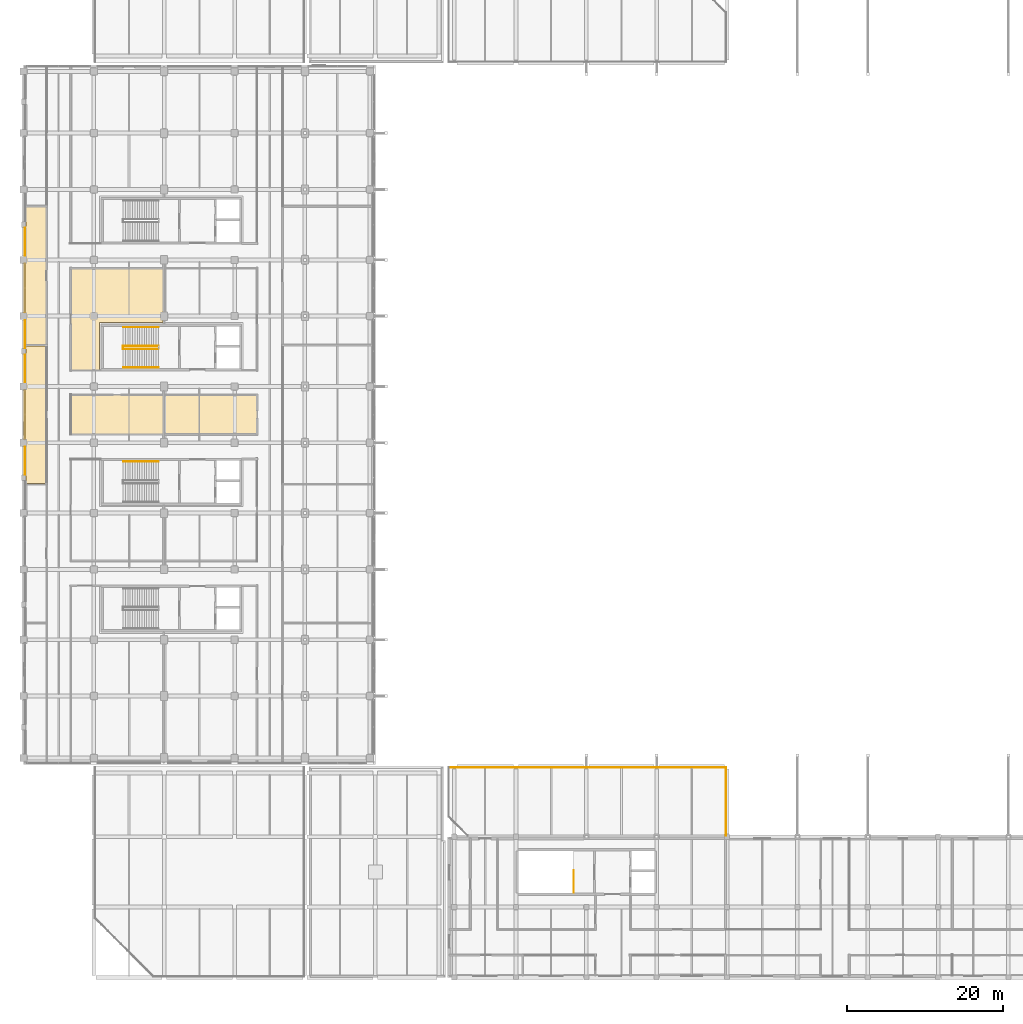
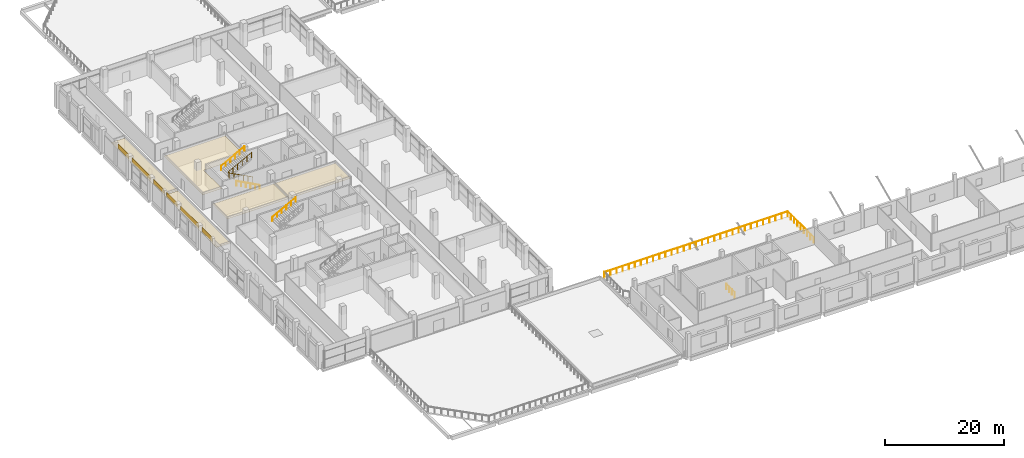
# One storey, part 68 of 82: 11 coverings, 7 railings.
"""IFC4 building model written with IfcOpenShell, lengths in metres."""

import ifcopenshell
import ifcopenshell.guid

model = None  # the IFC model being written
_history = None  # IfcOwnerHistory: only IFC2X3 demands one
_inside = {}  # id of a spatial element -> (the spatial element, [elements in it])
_under = {}  # id of a project, library or spatial element -> (it, [spatial elements below it])
_declared = {}  # id of a project -> (the project, [libraries it declares])
_typed = {}  # id of a type object -> (the type object, [elements of that type])
_made_of = {}  # id of a material, layer set ... -> (it, [elements and type objects made of it])


def new_model(schema):
    """Start an empty IFC model of exactly this schema.

    Asked for "IFC4X3", IfcOpenShell would pick the latest addendum, in which some entities
    have other attributes; the version numbers below select the first issue.
    IFC2X3 requires an IfcOwnerHistory on every rooted entity: one is made here for all.
    """
    global model, _history
    if schema == "IFC4X3":
        model = ifcopenshell.file(schema_version=(4, 3, 0, 0))
    else:
        model = ifcopenshell.file(schema=schema)
    _inside.clear()
    _under.clear()
    _declared.clear()
    _typed.clear()
    _made_of.clear()
    _history = None
    if model.schema == "IFC2X3":
        org = make("IfcOrganization", Name="unknown")
        user = make(
            "IfcPersonAndOrganization",
            ThePerson=make("IfcPerson", FamilyName="unknown"),
            TheOrganization=org,
        )
        app = make(
            "IfcApplication",
            ApplicationDeveloper=org,
            Version="unknown",
            ApplicationFullName="unknown",
            ApplicationIdentifier="unknown",
        )
        _history = make(
            "IfcOwnerHistory",
            OwningUser=user,
            OwningApplication=app,
            ChangeAction="ADDED",
            CreationDate=0,
        )
    return model


def make(cls, **values):
    """One entity of the class cls with the attributes given. An attribute that is None is left unset."""
    return model.create_entity(
        cls, **{name: value for name, value in values.items() if value is not None}
    )


def rooted(cls, **values):
    """An entity with a GlobalId (a new one), such as an element, a storey or a relation."""
    return make(cls, GlobalId=ifcopenshell.guid.new(), OwnerHistory=_history, **values)


def si_unit(unit_type, name, prefix=None):
    """IfcSIUnit, for example si_unit("LENGTHUNIT", "METRE", prefix="MILLI")."""
    return make("IfcSIUnit", UnitType=unit_type, Prefix=prefix, Name=name)


def assignment(units):
    """IfcUnitAssignment: the units of a project."""
    return None if units is None else make("IfcUnitAssignment", Units=units)


def point(xyz):
    """IfcCartesianPoint."""
    return None if xyz is None else make("IfcCartesianPoint", Coordinates=xyz)


def direction(xyz):
    """IfcDirection."""
    return None if xyz is None else make("IfcDirection", DirectionRatios=xyz)


def frame(location, z_axis=None, x_axis=None):
    """IfcAxis2Placement3D, a coordinate frame: its origin and axes. An axis left out is left unset."""
    return make(
        "IfcAxis2Placement3D",
        Location=point(location),
        Axis=direction(z_axis),
        RefDirection=direction(x_axis),
    )


def frame_2d(location, x_axis=None):
    """IfcAxis2Placement2D, a coordinate frame in the plane: its origin and x axis."""
    return make(
        "IfcAxis2Placement2D", Location=point(location), RefDirection=direction(x_axis)
    )


def origin():
    """The frame at (0, 0, 0) with its axes left unset."""
    return frame((0.0, 0.0, 0.0))


def origin_2d():
    """The frame at (0, 0) in the plane with its x axis left unset."""
    return frame_2d((0.0, 0.0))


def place(relative_to, where):
    """IfcLocalPlacement: puts the frame where relative to a parent placement (None: the world)."""
    return make(
        "IfcLocalPlacement", PlacementRelTo=relative_to, RelativePlacement=where
    )


def context(
    kind, dimensions, precision=None, world=None, true_north=None, identifier=None
):
    """IfcGeometricRepresentationContext, for example the 3D "Model" context."""
    return make(
        "IfcGeometricRepresentationContext",
        ContextIdentifier=identifier,
        ContextType=kind,
        CoordinateSpaceDimension=dimensions,
        Precision=precision,
        WorldCoordinateSystem=world,
        TrueNorth=true_north,
    )


def subcontext(parent, identifier, kind, view, scale=None):
    """IfcGeometricRepresentationSubContext, for example "Body" below "Model"."""
    return make(
        "IfcGeometricRepresentationSubContext",
        ContextIdentifier=identifier,
        ContextType=kind,
        ParentContext=parent,
        TargetScale=scale,
        TargetView=view,
    )


def project(units=None, contexts=None):
    """IfcProject with its units and contexts."""
    return rooted(
        "IfcProject",
        Name="project",
        RepresentationContexts=contexts,
        UnitsInContext=assignment(units),
    )


def spatial(cls, under=None, at=None, **own):
    """A site, building, storey or space (cls), placed at a placement, below another one or the project."""
    s = rooted(cls, ObjectPlacement=at, **own)
    if under is not None:
        _under.setdefault(under.id(), (under, []))[1].append(s)
    return s


def polyline(points):
    """IfcPolyline through the points."""
    return make("IfcPolyline", Points=[point(p) for p in points])


def profile(cls, at=None, kind="AREA", **sizes):
    """A parametric profile (cls). Its sizes go by their IFC names, for example OverallWidth=200.0."""
    return make(cls, ProfileType=kind, Position=at, **sizes)


def rectangle(**sizes):
    """IfcRectangleProfileDef."""
    return profile("IfcRectangleProfileDef", **sizes)


def circle(**sizes):
    """IfcCircleProfileDef."""
    return profile("IfcCircleProfileDef", **sizes)


def outline(outer, holes=None, kind="AREA"):
    """IfcArbitraryClosedProfileDef: a profile drawn as a closed curve; with holes, ...WithVoids."""
    if holes is None:
        return make("IfcArbitraryClosedProfileDef", ProfileType=kind, OuterCurve=outer)
    return make(
        "IfcArbitraryProfileDefWithVoids",
        ProfileType=kind,
        OuterCurve=outer,
        InnerCurves=holes,
    )


def extrude(swept, where, along, depth):
    """IfcExtrudedAreaSolid: the profile swept, set in the frame where, extruded along a direction by depth."""
    return make(
        "IfcExtrudedAreaSolid",
        SweptArea=swept,
        Position=where,
        ExtrudedDirection=direction(along),
        Depth=depth,
    )


def shape(context_of_items, identifier, shape_type, items):
    """IfcShapeRepresentation: the items that make up one representation, for example the "Body"."""
    return make(
        "IfcShapeRepresentation",
        ContextOfItems=context_of_items,
        RepresentationIdentifier=identifier,
        RepresentationType=shape_type,
        Items=items,
    )


def material(Name=None, Category=None):
    """IfcMaterial."""
    return make("IfcMaterial", Name=Name, Category=Category)


def layer(
    of_material, thickness, ventilated=None, Name=None, Category=None, Priority=None
):
    """IfcMaterialLayer: one layer of a wall or slab, of a material (None: an air gap)."""
    return make(
        "IfcMaterialLayer",
        Material=of_material,
        LayerThickness=thickness,
        IsVentilated=ventilated,
        Name=Name,
        Category=Category,
        Priority=Priority,
    )


def layer_set(layers, Name=None):
    """IfcMaterialLayerSet."""
    return make("IfcMaterialLayerSet", MaterialLayers=layers, LayerSetName=Name)


def made_of(thing, what):
    """Note that an element or type object is made of a material, layer set ...; save() writes the relation."""
    if what is not None:
        _made_of.setdefault(what.id(), (what, []))[1].append(thing)
    return thing


def type_object(cls, material=None, **own):
    """A type object (cls), such as IfcWallType, which elements share."""
    return made_of(rooted(cls, **own), material)


def element(
    cls,
    number,
    at=None,
    inside=None,
    cuts=None,
    type_object=None,
    material=None,
    context=None,
    identifier="Body",
    shape_type=None,
    held_by="IfcProductDefinitionShape",
    body=None,
    shapes=None,
    **own,
):
    """One element of the class cls, such as IfcWall. Its Tag is "e" and its number.

    at: its placement. inside: the storey or other place that contains it. cuts: it is an
    opening in that element (IfcRelVoidsElement). A single representation is given by context,
    identifier, shape_type and body (its items); several are given by shapes. held_by: the class
    of the entity that holds the representations. save() writes the other relations.
    """
    e = rooted(cls, Tag="e%d" % number, ObjectPlacement=at, **own)
    if body is not None:
        shapes = [shape(context, identifier, shape_type, body)]
    if shapes is not None:
        e.Representation = make(held_by, Representations=shapes)
    if inside is not None:
        _inside.setdefault(inside.id(), (inside, []))[1].append(e)
    if cuts is not None:
        rooted(
            "IfcRelVoidsElement", RelatingBuildingElement=cuts, RelatedOpeningElement=e
        )
    if type_object is not None:
        _typed.setdefault(type_object.id(), (type_object, []))[1].append(e)
    return made_of(e, material)


def aggregate(whole, parts):
    """IfcRelAggregates: a whole, such as a stair, and the parts it consists of."""
    return rooted("IfcRelAggregates", RelatingObject=whole, RelatedObjects=parts)


def save(model, path):
    """Write the relations noted so far, then the file.

    IfcRelAggregates (storeys below a building ...), IfcRelContainedInSpatialStructure (elements
    in a storey), IfcRelDefinesByType, IfcRelAssociatesMaterial and IfcRelDeclares: one each for
    every whole, place, type object, material and project.
    """
    for whole, parts in _under.values():
        aggregate(whole, parts)
    for where, things in _inside.values():
        rooted(
            "IfcRelContainedInSpatialStructure",
            RelatedElements=things,
            RelatingStructure=where,
        )
    for kind, things in _typed.values():
        rooted("IfcRelDefinesByType", RelatedObjects=things, RelatingType=kind)
    for what, things in _made_of.values():
        rooted("IfcRelAssociatesMaterial", RelatedObjects=things, RelatingMaterial=what)
    for by, libraries in _declared.values():
        rooted("IfcRelDeclares", RelatingContext=by, RelatedDefinitions=libraries)
    model.write(path)


model = new_model("IFC4")

# Units and contexts
model_context = context("Model", 3, precision=1e-05, world=origin(), true_north=direction((0.0, 1.0)))
body_context = subcontext(model_context, "Body", "Model", "MODEL_VIEW")
ifc_project = project(units=[si_unit("LENGTHUNIT", "METRE"), si_unit("AREAUNIT", "SQUARE_METRE"), si_unit("VOLUMEUNIT", "CUBIC_METRE"), si_unit("PLANEANGLEUNIT", "RADIAN"), si_unit("MASSUNIT", "GRAM", prefix="KILO"), si_unit("THERMODYNAMICTEMPERATUREUNIT", "KELVIN"), si_unit("POWERUNIT", "WATT")], contexts=[model_context])

# Site, building, storey
site_placement = place(None, origin())
site = spatial("IfcSite", under=ifc_project, at=site_placement, CompositionType="ELEMENT")
building_placement = place(site_placement, origin())
building = spatial("IfcBuilding", under=site, at=building_placement, Name="Sindhuravela Promenade Stadium", CompositionType="ELEMENT")
storey_placement = place(building_placement, frame((0.0, 0.0, 14.39990234375)))
storey = spatial("IfcBuildingStorey", under=building, at=storey_placement, Name="L03", CompositionType="ELEMENT", Elevation=14.39990234375)

# Coverings
ifc_material_1 = material(Name="Acoustic mineral-fibre ceiling tile", Category="gypsum")
ifc_layer_1 = layer(ifc_material_1, 0.02490234375)
ifc_layer_set_1 = layer_set([ifc_layer_1], Name="Acoustic mineral-fibre ceiling tile")
covering_type_1 = type_object("IfcCoveringType", Name="CV-CEIL-1", PredefinedType="CEILING", material=ifc_layer_set_1)
covering_1_placement = place(storey_placement, frame((0.0, 0.0, 3.050048828125)))
element("IfcCovering", 1, at=covering_1_placement, inside=storey, type_object=covering_type_1, Name="Acoustic ceiling Grand Banquet Hall West 2", PredefinedType="CEILING", context=body_context, shape_type="SweptSolid", body=[
    extrude(outline(polyline([(6.0400390625, 86.669921875), (6.0380859375, 86.670166015625), (6.0361328125, 86.67041015625), (6.0341796875, 86.6708984375), (6.0322265625, 86.67138671875), (6.030517578125, 86.67236328125), (6.02880859375, 86.67333984375), (6.02734375, 86.674560546875), (6.02587890625, 86.67578125), (6.0244140625, 86.67724609375), (6.0234375, 86.678955078125), (6.0224609375, 86.6806640625), (6.021484375, 86.682373046875), (6.02099609375, 86.68408203125), (6.0205078125, 86.68603515625), (6.02001953125, 86.68798828125), (6.02001953125, 86.68994140625), (6.02001953125, 99.7099609375), (6.02001953125, 99.7119140625), (6.0205078125, 99.7138671875), (6.02099609375, 99.7158203125), (6.021484375, 99.7177734375), (6.0224609375, 99.719482421875), (6.0234375, 99.72119140625), (6.0244140625, 99.72265625), (6.02587890625, 99.72412109375), (6.02734375, 99.7255859375), (6.02880859375, 99.7265625), (6.030517578125, 99.7275390625), (6.0322265625, 99.728515625), (6.0341796875, 99.72900390625), (6.0361328125, 99.7294921875), (6.0380859375, 99.72998046875), (6.0400390625, 99.72998046875), (17.830078125, 99.72998046875), (17.83203125, 99.72998046875), (17.833984375, 99.7294921875), (17.835693359375, 99.72900390625), (17.837646484375, 99.728515625), (17.83935546875, 99.7275390625), (17.841064453125, 99.7265625), (17.8427734375, 99.7255859375), (17.843994140625, 99.72412109375), (17.845458984375, 99.72265625), (17.8466796875, 99.72119140625), (17.84765625, 99.719482421875), (17.848388671875, 99.7177734375), (17.84912109375, 99.7158203125), (17.849609375, 99.7138671875), (17.849853515625, 99.7119140625), (17.85009765625, 99.7099609375), (17.85009765625, 92.800048828125), (17.849853515625, 92.798095703125), (17.849609375, 92.796142578125), (17.84912109375, 92.794189453125), (17.848388671875, 92.792236328125), (17.84765625, 92.79052734375), (17.8466796875, 92.788818359375), (17.845458984375, 92.787353515625), (17.843994140625, 92.785888671875), (17.8427734375, 92.784423828125), (17.841064453125, 92.783447265625), (17.83935546875, 92.782470703125), (17.837646484375, 92.781494140625), (17.835693359375, 92.781005859375), (17.833984375, 92.780517578125), (17.83203125, 92.780029296875), (17.830078125, 92.780029296875), (9.719970703125, 92.780029296875), (9.719970703125, 86.68994140625), (9.719970703125, 86.68798828125), (9.719482421875, 86.68603515625), (9.718994140625, 86.68408203125), (9.718505859375, 86.682373046875), (9.717529296875, 86.6806640625), (9.716552734375, 86.678955078125), (9.715576171875, 86.67724609375), (9.714111328125, 86.67578125), (9.712646484375, 86.674560546875), (9.711181640625, 86.67333984375), (9.70947265625, 86.67236328125), (9.707763671875, 86.67138671875), (9.705810546875, 86.6708984375), (9.703857421875, 86.67041015625), (9.701904296875, 86.670166015625), (9.699951171875, 86.669921875), (6.0400390625, 86.669921875)])), origin(), (0.0, 0.0, 1.0), 0.025146484375),
])
covering_2_placement = place(storey_placement, frame((0.0, 0.0, 3.050048828125)))
element("IfcCovering", 2, at=covering_2_placement, inside=storey, type_object=covering_type_1, Name="Acoustic ceiling Executive Hospitality Suite W04 6", PredefinedType="CEILING", context=body_context, shape_type="SweptSolid", body=[
    extrude(outline(polyline([(6.02001953125, 83.510009765625), (6.02001953125, 83.511962890625), (6.0205078125, 83.513916015625), (6.02099609375, 83.515869140625), (6.021484375, 83.517578125), (6.0224609375, 83.519287109375), (6.0234375, 83.52099609375), (6.0244140625, 83.522705078125), (6.02587890625, 83.524169921875), (6.02734375, 83.525390625), (6.02880859375, 83.526611328125), (6.030517578125, 83.527587890625), (6.0322265625, 83.528564453125), (6.0341796875, 83.529052734375), (6.0361328125, 83.529541015625), (6.0380859375, 83.52978515625), (6.0400390625, 83.530029296875), (17.830078125, 83.530029296875), (17.83203125, 83.52978515625), (17.833984375, 83.529541015625), (17.835693359375, 83.529052734375), (17.837646484375, 83.528564453125), (17.83935546875, 83.527587890625), (17.841064453125, 83.526611328125), (17.8427734375, 83.525390625), (17.843994140625, 83.524169921875), (17.845458984375, 83.522705078125), (17.8466796875, 83.52099609375), (17.84765625, 83.519287109375), (17.848388671875, 83.517578125), (17.84912109375, 83.515869140625), (17.849609375, 83.513916015625), (17.849853515625, 83.511962890625), (17.85009765625, 83.510009765625), (17.85009765625, 78.489990234375), (17.849853515625, 78.488037109375), (17.849609375, 78.486083984375), (17.84912109375, 78.484130859375), (17.848388671875, 78.482421875), (17.84765625, 78.480712890625), (17.8466796875, 78.47900390625), (17.845458984375, 78.477294921875), (17.843994140625, 78.475830078125), (17.8427734375, 78.474609375), (17.841064453125, 78.473388671875), (17.83935546875, 78.472412109375), (17.837646484375, 78.471435546875), (17.835693359375, 78.470947265625), (17.833984375, 78.470458984375), (17.83203125, 78.47021484375), (17.830078125, 78.469970703125), (6.0400390625, 78.469970703125), (6.0380859375, 78.47021484375), (6.0361328125, 78.470458984375), (6.0341796875, 78.470947265625), (6.0322265625, 78.471435546875), (6.030517578125, 78.472412109375), (6.02880859375, 78.473388671875), (6.02734375, 78.474609375), (6.02587890625, 78.475830078125), (6.0244140625, 78.477294921875), (6.0234375, 78.47900390625), (6.0224609375, 78.480712890625), (6.021484375, 78.482421875), (6.02099609375, 78.484130859375), (6.0205078125, 78.486083984375), (6.02001953125, 78.488037109375), (6.02001953125, 78.489990234375), (6.02001953125, 83.510009765625)])), origin(), (0.0, 0.0, 1.0), 0.025146484375),
])
covering_3_placement = place(storey_placement, frame((0.0, 0.0, 3.050048828125)))
element("IfcCovering", 3, at=covering_3_placement, inside=storey, type_object=covering_type_1, Name="Acoustic ceiling Grand Banquet Hall West 10", PredefinedType="CEILING", context=body_context, shape_type="SweptSolid", body=[
    extrude(outline(polyline([(2.97998046875, 90.006103515625), (2.97998046875, 90.00390625), (2.9794921875, 90.002197265625), (2.97900390625, 90.000244140625), (2.978515625, 89.998291015625), (2.9775390625, 89.99658203125), (2.9765625, 89.994873046875), (2.9755859375, 89.993408203125), (2.97412109375, 89.991943359375), (2.97265625, 89.990478515625), (2.97119140625, 89.989501953125), (2.969482421875, 89.98828125), (2.9677734375, 89.987548828125), (2.9658203125, 89.98681640625), (2.9638671875, 89.986328125), (2.9619140625, 89.986083984375), (2.9599609375, 89.986083984375), (0.320068359375, 89.986083984375), (0.318115234375, 89.986083984375), (0.316162109375, 89.986328125), (0.314208984375, 89.98681640625), (0.312255859375, 89.987548828125), (0.310546875, 89.98828125), (0.308837890625, 89.989501953125), (0.307373046875, 89.990478515625), (0.305908203125, 89.991943359375), (0.304443359375, 89.993408203125), (0.303466796875, 89.994873046875), (0.302490234375, 89.99658203125), (0.301513671875, 89.998291015625), (0.30078125, 90.000244140625), (0.30029296875, 90.002197265625), (0.300048828125, 90.00390625), (0.300048828125, 90.006103515625), (0.300048828125, 107.5380859375), (0.300048828125, 107.5400390625), (0.30029296875, 107.5419921875), (0.30078125, 107.543701171875), (0.301513671875, 107.545654296875), (0.302490234375, 107.54736328125), (0.303466796875, 107.549072265625), (0.304443359375, 107.55078125), (0.305908203125, 107.552001953125), (0.307373046875, 107.553466796875), (0.308837890625, 107.5546875), (0.310546875, 107.5556640625), (0.312255859375, 107.556396484375), (0.314208984375, 107.55712890625), (0.316162109375, 107.5576171875), (0.318115234375, 107.557861328125), (0.320068359375, 107.55810546875), (2.9599609375, 107.55810546875), (2.9619140625, 107.557861328125), (2.9638671875, 107.5576171875), (2.9658203125, 107.55712890625), (2.9677734375, 107.556396484375), (2.969482421875, 107.5556640625), (2.97119140625, 107.5546875), (2.97265625, 107.553466796875), (2.97412109375, 107.552001953125), (2.9755859375, 107.55078125), (2.9765625, 107.549072265625), (2.9775390625, 107.54736328125), (2.978515625, 107.545654296875), (2.97900390625, 107.543701171875), (2.9794921875, 107.5419921875), (2.97998046875, 107.5400390625), (2.97998046875, 107.5380859375), (2.97998046875, 90.006103515625)])), origin(), (0.0, 0.0, 1.0), 0.025146484375),
])
covering_4_placement = place(storey_placement, frame((0.0, 0.0, 3.050048828125)))
element("IfcCovering", 4, at=covering_4_placement, inside=storey, type_object=covering_type_1, Name="Acoustic ceiling Executive Hospitality Suite W02 12", PredefinedType="CEILING", context=body_context, shape_type="SweptSolid", body=[
    extrude(outline(polyline([(2.97998046875, 72.23388671875), (2.97998046875, 72.23193359375), (2.9794921875, 72.22998046875), (2.97900390625, 72.228271484375), (2.978515625, 72.226318359375), (2.9775390625, 72.224609375), (2.9765625, 72.222900390625), (2.9755859375, 72.22119140625), (2.97412109375, 72.219970703125), (2.97265625, 72.218505859375), (2.97119140625, 72.21728515625), (2.969482421875, 72.21630859375), (2.9677734375, 72.215576171875), (2.9658203125, 72.21484375), (2.9638671875, 72.21435546875), (2.9619140625, 72.214111328125), (2.9599609375, 72.214111328125), (0.320068359375, 72.214111328125), (0.318115234375, 72.214111328125), (0.316162109375, 72.21435546875), (0.314208984375, 72.21484375), (0.312255859375, 72.215576171875), (0.310546875, 72.21630859375), (0.308837890625, 72.21728515625), (0.307373046875, 72.218505859375), (0.305908203125, 72.219970703125), (0.304443359375, 72.22119140625), (0.303466796875, 72.222900390625), (0.302490234375, 72.224609375), (0.301513671875, 72.226318359375), (0.30078125, 72.228271484375), (0.30029296875, 72.22998046875), (0.300048828125, 72.23193359375), (0.300048828125, 72.23388671875), (0.300048828125, 89.76611328125), (0.300048828125, 89.76806640625), (0.30029296875, 89.77001953125), (0.30078125, 89.771728515625), (0.301513671875, 89.773681640625), (0.302490234375, 89.775390625), (0.303466796875, 89.777099609375), (0.304443359375, 89.77880859375), (0.305908203125, 89.780029296875), (0.307373046875, 89.781494140625), (0.308837890625, 89.78271484375), (0.310546875, 89.78369140625), (0.312255859375, 89.784423828125), (0.314208984375, 89.78515625), (0.316162109375, 89.78564453125), (0.318115234375, 89.785888671875), (0.320068359375, 89.785888671875), (2.9599609375, 89.785888671875), (2.9619140625, 89.785888671875), (2.9638671875, 89.78564453125), (2.9658203125, 89.78515625), (2.9677734375, 89.784423828125), (2.969482421875, 89.78369140625), (2.97119140625, 89.78271484375), (2.97265625, 89.781494140625), (2.97412109375, 89.780029296875), (2.9755859375, 89.77880859375), (2.9765625, 89.777099609375), (2.9775390625, 89.775390625), (2.978515625, 89.773681640625), (2.97900390625, 89.771728515625), (2.9794921875, 89.77001953125), (2.97998046875, 89.76806640625), (2.97998046875, 89.76611328125), (2.97998046875, 72.23388671875)])), origin(), (0.0, 0.0, 1.0), 0.025146484375),
])
ifc_layer_2 = layer(ifc_material_1, 0.044921875)
ifc_layer_set_2 = layer_set([ifc_layer_2], Name="Acoustic mineral-fibre ceiling tile")
covering_type_2 = type_object("IfcCoveringType", Name="CV-CEIL-2", PredefinedType="CEILING", material=ifc_layer_set_2)
covering_5_placement = place(storey_placement, frame((0.0, 0.0, 3.050048828125)))
element("IfcCovering", 5, at=covering_5_placement, inside=storey, type_object=covering_type_2, Name="Acoustic ceiling Banquet Production Kitchen 7", PredefinedType="CEILING", context=body_context, shape_type="SweptSolid", body=[
    extrude(outline(polyline([(29.860107421875, 83.530029296875), (29.862060546875, 83.52978515625), (29.864013671875, 83.529541015625), (29.86572265625, 83.529052734375), (29.86767578125, 83.528564453125), (29.869384765625, 83.527587890625), (29.87109375, 83.526611328125), (29.872802734375, 83.525390625), (29.8740234375, 83.524169921875), (29.87548828125, 83.522705078125), (29.876708984375, 83.52099609375), (29.877685546875, 83.519287109375), (29.87841796875, 83.517578125), (29.879150390625, 83.515869140625), (29.879638671875, 83.513916015625), (29.8798828125, 83.511962890625), (29.8798828125, 83.510009765625), (29.8798828125, 78.489990234375), (29.8798828125, 78.488037109375), (29.879638671875, 78.486083984375), (29.879150390625, 78.484130859375), (29.87841796875, 78.482421875), (29.877685546875, 78.480712890625), (29.876708984375, 78.47900390625), (29.87548828125, 78.477294921875), (29.8740234375, 78.475830078125), (29.872802734375, 78.474609375), (29.87109375, 78.473388671875), (29.869384765625, 78.472412109375), (29.86767578125, 78.471435546875), (29.86572265625, 78.470947265625), (29.864013671875, 78.470458984375), (29.862060546875, 78.47021484375), (29.860107421875, 78.469970703125), (18.070068359375, 78.469970703125), (18.068115234375, 78.47021484375), (18.066162109375, 78.470458984375), (18.064208984375, 78.470947265625), (18.062255859375, 78.471435546875), (18.060546875, 78.472412109375), (18.058837890625, 78.473388671875), (18.057373046875, 78.474609375), (18.055908203125, 78.475830078125), (18.054443359375, 78.477294921875), (18.053466796875, 78.47900390625), (18.052490234375, 78.480712890625), (18.051513671875, 78.482421875), (18.05078125, 78.484130859375), (18.05029296875, 78.486083984375), (18.050048828125, 78.488037109375), (18.050048828125, 78.489990234375), (18.050048828125, 83.510009765625), (18.050048828125, 83.511962890625), (18.05029296875, 83.513916015625), (18.05078125, 83.515869140625), (18.051513671875, 83.517578125), (18.052490234375, 83.519287109375), (18.053466796875, 83.52099609375), (18.054443359375, 83.522705078125), (18.055908203125, 83.524169921875), (18.057373046875, 83.525390625), (18.058837890625, 83.526611328125), (18.060546875, 83.527587890625), (18.062255859375, 83.528564453125), (18.064208984375, 83.529052734375), (18.066162109375, 83.529541015625), (18.068115234375, 83.52978515625), (18.070068359375, 83.530029296875), (29.860107421875, 83.530029296875)])), origin(), (0.0, 0.0, 1.0), 0.045166015625),
])
ifc_material_2 = material(Name="Polychrome trencadis ceramic mosaic", Category="masonry")
ifc_layer_3 = layer(ifc_material_2, 0.034912109375)
ifc_layer_set_3 = layer_set([ifc_layer_3], Name="Polychrome trencadis ceramic mosaic")
covering_type_3 = type_object("IfcCoveringType", Name="CV-TRENC-1", PredefinedType="CLADDING", material=ifc_layer_set_3)
for number, where, z_axis, x_axis, name in (
    (6, (0.179931640625, 75.10009765625, 3.55517578125), (0.0, 0.0, 1.0), (0.0, 1.0, 0.0), "Trencadis ceramic mosaic spandrel frieze WEST L03-70"),
    (7, (0.179931640625, 86.89990234375, 3.55517578125), (0.0, 0.0, 1.0), (0.0, 1.0, 0.0), "Trencadis ceramic mosaic spandrel frieze WEST L03-72"),
):
    element("IfcCovering", number, at=place(storey_placement, frame(where, z_axis=z_axis, x_axis=x_axis)), inside=storey, type_object=covering_type_3, Name=name, PredefinedType="CLADDING", context=body_context, shape_type="SweptSolid", body=[
        extrude(rectangle(XDim=3.570068359375, YDim=0.034912109375, at=origin_2d()), origin(), (0.0, 0.0, 1.0), 0.905029296875),
    ])
covering_6_placement = place(storey_placement, frame((0.179931640625, 97.199951171875, 3.55517578125), z_axis=(0.0, 0.0, 1.0), x_axis=(0.0, 1.0, 0.0)))
element("IfcCovering", 8, at=covering_6_placement, inside=storey, type_object=covering_type_3, Name="Trencadis ceramic mosaic spandrel frieze WEST L03-74", PredefinedType="CLADDING", context=body_context, shape_type="SweptSolid", body=[
    extrude(rectangle(XDim=6.169921875, YDim=0.034912109375, at=origin_2d()), origin(), (0.0, 0.0, 1.0), 0.905029296875),
])
ifc_layer_4 = layer(ifc_material_2, 0.050048828125)
ifc_layer_set_4 = layer_set([ifc_layer_4], Name="Polychrome trencadis ceramic mosaic")
covering_type_4 = type_object("IfcCoveringType", Name="CV-TRENC-2", PredefinedType="CLADDING", material=ifc_layer_set_4)
covering_7_placement = place(storey_placement, frame((0.179931640625, 81.0, 3.55517578125), z_axis=(0.0, 0.0, 1.0), x_axis=(0.0, 1.0, 0.0)))
element("IfcCovering", 9, at=covering_7_placement, inside=storey, type_object=covering_type_4, Name="Trencadis ceramic mosaic spandrel frieze WEST L03-71", PredefinedType="CLADDING", context=body_context, shape_type="SweptSolid", body=[
    extrude(rectangle(XDim=6.169921875, YDim=0.050048828125, at=origin_2d()), origin(), (0.0, 0.0, 1.0), 0.905029296875),
])
for number, where, z_axis, x_axis, name in (
    (10, (0.179931640625, 91.300048828125, 3.55517578125), (0.0, 0.0, 1.0), (0.0, 1.0, 0.0), "Trencadis ceramic mosaic spandrel frieze WEST L03-73"),
    (11, (0.179931640625, 103.10009765625, 3.55517578125), (0.0, 0.0, 1.0), (0.0, 1.0, 0.0), "Trencadis ceramic mosaic spandrel frieze WEST L03-75"),
):
    element("IfcCovering", number, at=place(storey_placement, frame(where, z_axis=z_axis, x_axis=x_axis)), inside=storey, type_object=covering_type_4, Name=name, PredefinedType="CLADDING", context=body_context, shape_type="SweptSolid", body=[
        extrude(rectangle(XDim=3.570068359375, YDim=0.050048828125, at=origin_2d()), origin(), (0.0, 0.0, 1.0), 0.905029296875),
    ])

# Railings
ifc_material_3 = material(Name="Architectural wrought steel E350", Category="steel")
railing_type_1 = type_object("IfcRailingType", Name="RL-BAL-1150", PredefinedType="BALUSTRADE", material=ifc_material_3)
railing_1_placement = place(storey_placement, frame((54.389892578125, 35.860107421875, 0.0)))
element("IfcRailing", 12, at=railing_1_placement, inside=storey, type_object=railing_type_1, Name="Terrace wrought balustrade BL01-47", PredefinedType="BALUSTRADE", context=body_context, shape_type="SweptSolid", body=[
    extrude(circle(Radius=0.02392578125, at=origin_2d()), frame((0.0, 0.0, 1.1259765625), z_axis=(1.0, 0.0, 0.0), x_axis=(0.0, 1.0, 0.0)), (0.0, 0.0, 1.0), 35.47021484375),
    extrude(circle(Radius=0.02099609375, at=origin_2d()), origin(), (0.0, 0.0, 1.0), 1.101806640625),
    extrude(circle(Radius=0.02099609375, at=origin_2d()), frame((1.182373046875, 0.0, 0.0)), (0.0, 0.0, 1.0), 1.101806640625),
    extrude(circle(Radius=0.02099609375, at=origin_2d()), frame((2.36474609375, 0.0, 0.0)), (0.0, 0.0, 1.0), 1.101806640625),
    extrude(circle(Radius=0.02099609375, at=origin_2d()), frame((3.547119140625, 0.0, 0.0)), (0.0, 0.0, 1.0), 1.101806640625),
    extrude(circle(Radius=0.02099609375, at=origin_2d()), frame((4.729248046875, 0.0, 0.0)), (0.0, 0.0, 1.0), 1.101806640625),
    extrude(circle(Radius=0.02099609375, at=origin_2d()), frame((5.91162109375, 0.0, 0.0)), (0.0, 0.0, 1.0), 1.101806640625),
    extrude(circle(Radius=0.02099609375, at=origin_2d()), frame((7.093994140625, 0.0, 0.0)), (0.0, 0.0, 1.0), 1.101806640625),
    extrude(circle(Radius=0.02099609375, at=origin_2d()), frame((8.2763671875, 0.0, 0.0)), (0.0, 0.0, 1.0), 1.101806640625),
    extrude(circle(Radius=0.02099609375, at=origin_2d()), frame((9.458740234375, 0.0, 0.0)), (0.0, 0.0, 1.0), 1.101806640625),
    extrude(circle(Radius=0.02099609375, at=origin_2d()), frame((10.64111328125, 0.0, 0.0)), (0.0, 0.0, 1.0), 1.101806640625),
    extrude(circle(Radius=0.02099609375, at=origin_2d()), frame((11.823486328125, 0.0, 0.0)), (0.0, 0.0, 1.0), 1.101806640625),
    extrude(circle(Radius=0.02099609375, at=origin_2d()), frame((13.005859375, 0.0, 0.0)), (0.0, 0.0, 1.0), 1.101806640625),
    extrude(circle(Radius=0.02099609375, at=origin_2d()), frame((14.18798828125, 0.0, 0.0)), (0.0, 0.0, 1.0), 1.101806640625),
    extrude(circle(Radius=0.02099609375, at=origin_2d()), frame((15.370361328125, 0.0, 0.0)), (0.0, 0.0, 1.0), 1.101806640625),
    extrude(circle(Radius=0.02099609375, at=origin_2d()), frame((16.552734375, 0.0, 0.0)), (0.0, 0.0, 1.0), 1.101806640625),
    extrude(circle(Radius=0.02099609375, at=origin_2d()), frame((17.735107421875, 0.0, 0.0)), (0.0, 0.0, 1.0), 1.101806640625),
    extrude(circle(Radius=0.02099609375, at=origin_2d()), frame((18.91748046875, 0.0, 0.0)), (0.0, 0.0, 1.0), 1.101806640625),
    extrude(circle(Radius=0.02099609375, at=origin_2d()), frame((20.099853515625, 0.0, 0.0)), (0.0, 0.0, 1.0), 1.101806640625),
    extrude(circle(Radius=0.02099609375, at=origin_2d()), frame((21.2822265625, 0.0, 0.0)), (0.0, 0.0, 1.0), 1.101806640625),
    extrude(circle(Radius=0.02099609375, at=origin_2d()), frame((22.46435546875, 0.0, 0.0)), (0.0, 0.0, 1.0), 1.101806640625),
    extrude(circle(Radius=0.02099609375, at=origin_2d()), frame((23.646728515625, 0.0, 0.0)), (0.0, 0.0, 1.0), 1.101806640625),
    extrude(circle(Radius=0.02099609375, at=origin_2d()), frame((24.8291015625, 0.0, 0.0)), (0.0, 0.0, 1.0), 1.101806640625),
    extrude(circle(Radius=0.02099609375, at=origin_2d()), frame((26.011474609375, 0.0, 0.0)), (0.0, 0.0, 1.0), 1.101806640625),
    extrude(circle(Radius=0.02099609375, at=origin_2d()), frame((27.19384765625, 0.0, 0.0)), (0.0, 0.0, 1.0), 1.101806640625),
    extrude(circle(Radius=0.02099609375, at=origin_2d()), frame((28.376220703125, 0.0, 0.0)), (0.0, 0.0, 1.0), 1.101806640625),
    extrude(circle(Radius=0.02099609375, at=origin_2d()), frame((29.55859375, 0.0, 0.0)), (0.0, 0.0, 1.0), 1.101806640625),
    extrude(circle(Radius=0.02099609375, at=origin_2d()), frame((30.740966796875, 0.0, 0.0)), (0.0, 0.0, 1.0), 1.101806640625),
    extrude(circle(Radius=0.02099609375, at=origin_2d()), frame((31.923095703125, 0.0, 0.0)), (0.0, 0.0, 1.0), 1.101806640625),
    extrude(circle(Radius=0.02099609375, at=origin_2d()), frame((33.10546875, 0.0, 0.0)), (0.0, 0.0, 1.0), 1.101806640625),
    extrude(circle(Radius=0.02099609375, at=origin_2d()), frame((34.287841796875, 0.0, 0.0)), (0.0, 0.0, 1.0), 1.101806640625),
    extrude(circle(Radius=0.02099609375, at=origin_2d()), frame((35.47021484375, 0.0, 0.0)), (0.0, 0.0, 1.0), 1.101806640625),
])
railing_2_placement = place(storey_placement, frame((89.860107421875, 35.860107421875, 0.0)))
element("IfcRailing", 13, at=railing_2_placement, inside=storey, type_object=railing_type_1, Name="Terrace wrought balustrade BL01-48", PredefinedType="BALUSTRADE", context=body_context, shape_type="SweptSolid", body=[
    extrude(circle(Radius=0.02392578125, at=origin_2d()), frame((0.0, 0.0, 1.1259765625), z_axis=(0.0, -1.0, 0.0), x_axis=(1.0, 0.0, 0.0)), (0.0, 0.0, 1.0), 8.72021484375),
    extrude(circle(Radius=0.02099609375, at=origin_2d()), origin(), (0.0, 0.0, 1.0), 1.101806640625),
    extrude(circle(Radius=0.02099609375, at=origin_2d()), frame((0.0, -1.090087890625, 0.0)), (0.0, 0.0, 1.0), 1.101806640625),
    extrude(circle(Radius=0.02099609375, at=origin_2d()), frame((0.0, -2.18017578125, 0.0)), (0.0, 0.0, 1.0), 1.101806640625),
    extrude(circle(Radius=0.02099609375, at=origin_2d()), frame((0.0, -3.27001953125, 0.0)), (0.0, 0.0, 1.0), 1.101806640625),
    extrude(circle(Radius=0.02099609375, at=origin_2d()), frame((0.0, -4.360107421875, 0.0)), (0.0, 0.0, 1.0), 1.101806640625),
    extrude(circle(Radius=0.02099609375, at=origin_2d()), frame((0.0, -5.4501953125, 0.0)), (0.0, 0.0, 1.0), 1.101806640625),
    extrude(circle(Radius=0.02099609375, at=origin_2d()), frame((0.0, -6.5400390625, 0.0)), (0.0, 0.0, 1.0), 1.101806640625),
    extrude(circle(Radius=0.02099609375, at=origin_2d()), frame((0.0, -7.630126953125, 0.0)), (0.0, 0.0, 1.0), 1.101806640625),
    extrude(circle(Radius=0.02099609375, at=origin_2d()), frame((0.0, -8.72021484375, 0.0)), (0.0, 0.0, 1.0), 1.101806640625),
])
railing_type_2 = type_object("IfcRailingType", Name="RL-GRD-1150", PredefinedType="GUARDRAIL", material=ifc_material_3)
railing_3_placement = place(storey_placement, frame((17.25, 89.409912109375, 0.0)))
element("IfcRailing", 14, at=railing_3_placement, inside=storey, type_object=railing_type_2, Name="Stair ST03 inner well guard (L03)", PredefinedType="GUARDRAIL", context=body_context, shape_type="SweptSolid", body=[
    extrude(circle(Radius=0.02392578125, at=origin_2d()), frame((0.0, 0.0, 1.1259765625), z_axis=(-0.8836349624059475, 0.0, 0.46817651928929505), x_axis=(0.0, -1.0, 0.0)), (0.0, 0.0, 1.0), 5.12646484375),
    extrude(circle(Radius=0.02392578125, at=origin_2d()), frame((-4.530029296875, 0.0, 3.52587890625), z_axis=(0.0, 1.0, 0.0), x_axis=(-1.0, 0.0, 0.0)), (0.0, 0.0, 1.0), 0.380126953125),
    extrude(circle(Radius=0.02392578125, at=origin_2d()), frame((-4.530029296875, 0.380126953125, 3.52587890625), z_axis=(0.8836546633431795, 0.0, 0.46813933390802775), x_axis=(0.0, 1.0, 0.0)), (0.0, 0.0, 1.0), 5.12646484375),
    extrude(circle(Radius=0.02099609375, at=origin_2d()), origin(), (0.0, 0.0, 1.0), 1.101806640625),
    extrude(circle(Radius=0.02099609375, at=origin_2d()), frame((-0.906005859375, 0.0, 0.47998046875)), (0.0, 0.0, 1.0), 1.101806640625),
    extrude(circle(Radius=0.02099609375, at=origin_2d()), frame((-1.81201171875, 0.0, 0.9599609375)), (0.0, 0.0, 1.0), 1.101806640625),
    extrude(circle(Radius=0.02099609375, at=origin_2d()), frame((-2.718017578125, 0.0, 1.440185546875)), (0.0, 0.0, 1.0), 1.101806640625),
    extrude(circle(Radius=0.02099609375, at=origin_2d()), frame((-3.6240234375, 0.0, 1.920166015625)), (0.0, 0.0, 1.0), 1.101806640625),
    extrude(circle(Radius=0.02099609375, at=origin_2d()), frame((-4.530029296875, 0.0, 2.400146484375)), (0.0, 0.0, 1.0), 1.101806640625),
    extrude(circle(Radius=0.02099609375, at=origin_2d()), frame((-4.530029296875, 0.380126953125, 2.400146484375)), (0.0, 0.0, 1.0), 1.101806640625),
    extrude(circle(Radius=0.02099609375, at=origin_2d()), frame((-3.6240234375, 0.380126953125, 2.880126953125)), (0.0, 0.0, 1.0), 1.101806640625),
    extrude(circle(Radius=0.02099609375, at=origin_2d()), frame((-2.718017578125, 0.380126953125, 3.360107421875)), (0.0, 0.0, 1.0), 1.101806640625),
    extrude(circle(Radius=0.02099609375, at=origin_2d()), frame((-1.81201171875, 0.380126953125, 3.840087890625)), (0.0, 0.0, 1.0), 1.101806640625),
    extrude(circle(Radius=0.02099609375, at=origin_2d()), frame((-0.906005859375, 0.380126953125, 4.320068359375)), (0.0, 0.0, 1.0), 1.101806640625),
    extrude(circle(Radius=0.02099609375, at=origin_2d()), frame((0.0, 0.380126953125, 4.800048828125)), (0.0, 0.0, 1.0), 1.101806640625),
])
railing_4_placement = place(storey_placement, frame((70.3798828125, 19.860107421875, 0.0)))
element("IfcRailing", 15, at=railing_4_placement, inside=storey, type_object=railing_type_2, Name="Stair ST11 top landing well guard (L03)", PredefinedType="GUARDRAIL", context=body_context, shape_type="SweptSolid", body=[
    extrude(circle(Radius=0.02392578125, at=origin_2d()), frame((0.0, 0.0, 1.1259765625), z_axis=(0.0, 1.0, 0.0), x_axis=(-1.0, 0.0, 0.0)), (0.0, 0.0, 1.0), 2.829833984375),
    extrude(circle(Radius=0.02099609375, at=origin_2d()), origin(), (0.0, 0.0, 1.0), 1.101806640625),
    extrude(circle(Radius=0.02099609375, at=origin_2d()), frame((0.0, 0.943359375, 0.0)), (0.0, 0.0, 1.0), 1.101806640625),
    extrude(circle(Radius=0.02099609375, at=origin_2d()), frame((0.0, 1.886474609375, 0.0)), (0.0, 0.0, 1.0), 1.101806640625),
    extrude(circle(Radius=0.02099609375, at=origin_2d()), frame((0.0, 2.829833984375, 0.0)), (0.0, 0.0, 1.0), 1.101806640625),
])
railing_type_3 = type_object("IfcRailingType", Name="RL-HND-920", PredefinedType="HANDRAIL", material=ifc_material_3)
railing_5_placement = place(storey_placement, frame((12.75, 74.97998046875, 2.400146484375)))
element("IfcRailing", 16, at=railing_5_placement, inside=storey, type_object=railing_type_3, Name="Stair ST02 upper wall handrail (L03)", PredefinedType="HANDRAIL", context=body_context, shape_type="SweptSolid", body=[
    extrude(circle(Radius=0.02392578125, at=origin_2d()), frame((0.0, 0.0, 0.89599609375), z_axis=(0.8823608919668723, 0.0, 0.4705733272588083), x_axis=(0.0, 1.0, 0.0)), (0.0, 0.0, 1.0), 5.099853515625),
    extrude(circle(Radius=0.02099609375, at=origin_2d()), origin(), (0.0, 0.0, 1.0), 0.871826171875),
    extrude(circle(Radius=0.02099609375, at=origin_2d()), frame((0.89990234375, 0.0, 0.47998046875)), (0.0, 0.0, 1.0), 0.871826171875),
    extrude(circle(Radius=0.02099609375, at=origin_2d()), frame((1.800048828125, 0.0, 0.9599609375)), (0.0, 0.0, 1.0), 0.871826171875),
    extrude(circle(Radius=0.02099609375, at=origin_2d()), frame((2.699951171875, 0.0, 1.43994140625)), (0.0, 0.0, 1.0), 0.871826171875),
    extrude(circle(Radius=0.02099609375, at=origin_2d()), frame((3.60009765625, 0.0, 1.919921875)), (0.0, 0.0, 1.0), 0.871826171875),
    extrude(circle(Radius=0.02099609375, at=origin_2d()), frame((4.5, 0.0, 2.39990234375)), (0.0, 0.0, 1.0), 0.871826171875),
])
railing_6_placement = place(storey_placement, frame((17.25, 87.02001953125, 0.0)))
element("IfcRailing", 17, at=railing_6_placement, inside=storey, type_object=railing_type_3, Name="Stair ST03 lower wall handrail (L03)", PredefinedType="HANDRAIL", context=body_context, shape_type="SweptSolid", body=[
    extrude(circle(Radius=0.02392578125, at=origin_2d()), frame((0.0, 0.0, 0.89599609375), z_axis=(-0.8823410147872734, 0.0, 0.47061059659145427), x_axis=(0.0, -1.0, 0.0)), (0.0, 0.0, 1.0), 5.10009765625),
    extrude(circle(Radius=0.02099609375, at=origin_2d()), origin(), (0.0, 0.0, 1.0), 0.871826171875),
    extrude(circle(Radius=0.02099609375, at=origin_2d()), frame((-0.89990234375, 0.0, 0.47998046875)), (0.0, 0.0, 1.0), 0.871826171875),
    extrude(circle(Radius=0.02099609375, at=origin_2d()), frame((-1.800048828125, 0.0, 0.9599609375)), (0.0, 0.0, 1.0), 0.871826171875),
    extrude(circle(Radius=0.02099609375, at=origin_2d()), frame((-2.699951171875, 0.0, 1.440185546875)), (0.0, 0.0, 1.0), 0.871826171875),
    extrude(circle(Radius=0.02099609375, at=origin_2d()), frame((-3.60009765625, 0.0, 1.920166015625)), (0.0, 0.0, 1.0), 0.871826171875),
    extrude(circle(Radius=0.02099609375, at=origin_2d()), frame((-4.5, 0.0, 2.400146484375)), (0.0, 0.0, 1.0), 0.871826171875),
])
railing_7_placement = place(storey_placement, frame((12.75, 92.179931640625, 2.400146484375)))
element("IfcRailing", 18, at=railing_7_placement, inside=storey, type_object=railing_type_3, Name="Stair ST03 upper wall handrail (L03)", PredefinedType="HANDRAIL", context=body_context, shape_type="SweptSolid", body=[
    extrude(circle(Radius=0.02392578125, at=origin_2d()), frame((0.0, 0.0, 0.89599609375), z_axis=(0.8823608919668723, 0.0, 0.4705733272588083), x_axis=(0.0, 1.0, 0.0)), (0.0, 0.0, 1.0), 5.099853515625),
    extrude(circle(Radius=0.02099609375, at=origin_2d()), origin(), (0.0, 0.0, 1.0), 0.871826171875),
    extrude(circle(Radius=0.02099609375, at=origin_2d()), frame((0.89990234375, 0.0, 0.47998046875)), (0.0, 0.0, 1.0), 0.871826171875),
    extrude(circle(Radius=0.02099609375, at=origin_2d()), frame((1.800048828125, 0.0, 0.9599609375)), (0.0, 0.0, 1.0), 0.871826171875),
    extrude(circle(Radius=0.02099609375, at=origin_2d()), frame((2.699951171875, 0.0, 1.43994140625)), (0.0, 0.0, 1.0), 0.871826171875),
    extrude(circle(Radius=0.02099609375, at=origin_2d()), frame((3.60009765625, 0.0, 1.919921875)), (0.0, 0.0, 1.0), 0.871826171875),
    extrude(circle(Radius=0.02099609375, at=origin_2d()), frame((4.5, 0.0, 2.39990234375)), (0.0, 0.0, 1.0), 0.871826171875),
])

save(model, "model.ifc")
